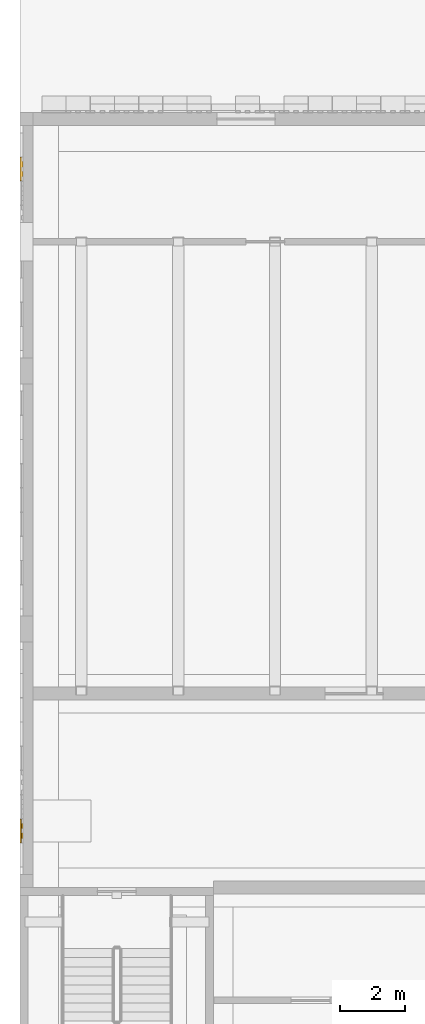
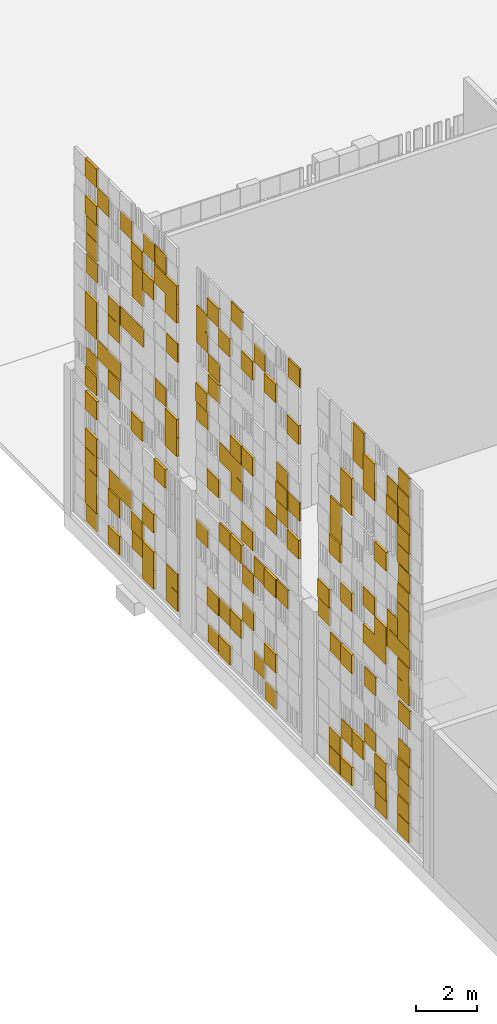
# One storey, part 89 of 125: 1 covering.
"""IFC4 building model written with IfcOpenShell, lengths in metres."""

from ifc_helpers import new_model, si_unit, direction, frame, origin, origin_2d, place, context, subcontext, project, spatial, rectangle, extrude, material, layer, layer_set, type_object, element, save


model = new_model("IFC4")

# Units and contexts
model_context = context("Model", 3, precision=1e-05, world=origin(), true_north=direction((0.0, 1.0)))
body_context = subcontext(model_context, "Body", "Model", "MODEL_VIEW")
ifc_project = project(units=[si_unit("LENGTHUNIT", "METRE"), si_unit("AREAUNIT", "SQUARE_METRE"), si_unit("VOLUMEUNIT", "CUBIC_METRE"), si_unit("PLANEANGLEUNIT", "RADIAN"), si_unit("MASSUNIT", "GRAM", prefix="KILO")], contexts=[model_context])

# Site, building, storey
site_placement = place(None, origin())
site = spatial("IfcSite", under=ifc_project, at=site_placement, CompositionType="ELEMENT")
building_placement = place(site_placement, origin())
building = spatial("IfcBuilding", under=site, at=building_placement, Name="Sun Court Science Centre", CompositionType="ELEMENT")
storey_placement = place(building_placement, origin())
storey = spatial("IfcBuildingStorey", under=building, at=storey_placement, Name="L00", CompositionType="ELEMENT", Elevation=0.0)

# Covering
ifc_material = material(Name="Terracotta shade 1", Category="masonry")
ifc_layer = layer(ifc_material, 0.06005859375)
ifc_layer_set = layer_set([ifc_layer], Name="Terracotta shade 1")
covering_type = type_object("IfcCoveringType", Name="Terracotta pixel panel shade 1", PredefinedType="CLADDING", material=ifc_layer_set)
covering_placement = place(storey_placement, origin())
element("IfcCovering", 1, at=covering_placement, inside=storey, type_object=covering_type, Name="Terracotta pixel cladding shade 1 west party wall L00", PredefinedType="CLADDING", context=body_context, shape_type="SweptSolid", body=[
    extrude(rectangle(XDim=0.739990234375, YDim=0.06005859375, at=origin_2d()), frame((0.070068359375, 51.25, 0.22998046875), z_axis=(0.0, 0.0, 1.0), x_axis=(0.0, 1.0, 0.0)), (0.0, 0.0, 1.0), 0.739990234375),
    extrude(rectangle(XDim=0.739990234375, YDim=0.10009765625, at=origin_2d()), frame((0.050048828125, 53.5, 0.22998046875), z_axis=(0.0, 0.0, 1.0), x_axis=(0.0, 1.0, 0.0)), (0.0, 0.0, 1.0), 0.739990234375),
    extrude(rectangle(XDim=0.739990234375, YDim=0.10009765625, at=origin_2d()), frame((0.050048828125, 54.25, 0.22998046875), z_axis=(0.0, 0.0, 1.0), x_axis=(0.0, 1.0, 0.0)), (0.0, 0.0, 1.0), 0.739990234375),
    extrude(rectangle(XDim=0.739990234375, YDim=0.10009765625, at=origin_2d()), frame((0.050048828125, 49.75, 0.97998046875), z_axis=(0.0, 0.0, 1.0), x_axis=(0.0, 1.0, 0.0)), (0.0, 0.0, 1.0), 0.739990234375),
    extrude(rectangle(XDim=0.739990234375, YDim=0.10009765625, at=origin_2d()), frame((0.050048828125, 51.25, 0.97998046875), z_axis=(0.0, 0.0, 1.0), x_axis=(0.0, 1.0, 0.0)), (0.0, 0.0, 1.0), 0.739990234375),
    extrude(rectangle(XDim=0.739990234375, YDim=0.10009765625, at=origin_2d()), frame((0.050048828125, 54.25, 0.97998046875), z_axis=(0.0, 0.0, 1.0), x_axis=(0.0, 1.0, 0.0)), (0.0, 0.0, 1.0), 0.739990234375),
    extrude(rectangle(XDim=0.739990234375, YDim=0.10009765625, at=origin_2d()), frame((0.050048828125, 51.25, 1.72998046875), z_axis=(0.0, 0.0, 1.0), x_axis=(0.0, 1.0, 0.0)), (0.0, 0.0, 1.0), 0.739990234375),
    extrude(rectangle(XDim=0.739990234375, YDim=0.10009765625, at=origin_2d()), frame((0.050048828125, 52.75, 1.72998046875), z_axis=(0.0, 0.0, 1.0), x_axis=(0.0, 1.0, 0.0)), (0.0, 0.0, 1.0), 0.739990234375),
    extrude(rectangle(XDim=0.739990234375, YDim=0.06005859375, at=origin_2d()), frame((0.070068359375, 53.5, 1.72998046875), z_axis=(0.0, 0.0, 1.0), x_axis=(0.0, 1.0, 0.0)), (0.0, 0.0, 1.0), 0.739990234375),
    extrude(rectangle(XDim=0.739990234375, YDim=0.06005859375, at=origin_2d()), frame((0.070068359375, 52.0, 2.47998046875), z_axis=(0.0, 0.0, 1.0), x_axis=(0.0, 1.0, 0.0)), (0.0, 0.0, 1.0), 0.739990234375),
    extrude(rectangle(XDim=0.739990234375, YDim=0.06005859375, at=origin_2d()), frame((0.070068359375, 49.75, 3.22998046875), z_axis=(0.0, 0.0, 1.0), x_axis=(0.0, 1.0, 0.0)), (0.0, 0.0, 1.0), 0.739990234375),
    extrude(rectangle(XDim=0.739990234375, YDim=0.06005859375, at=origin_2d()), frame((0.070068359375, 52.0, 4.72998046875), z_axis=(0.0, 0.0, 1.0), x_axis=(0.0, 1.0, 0.0)), (0.0, 0.0, 1.0), 0.739990234375),
    extrude(rectangle(XDim=0.739990234375, YDim=0.10009765625, at=origin_2d()), frame((0.050048828125, 53.5, 4.72998046875), z_axis=(0.0, 0.0, 1.0), x_axis=(0.0, 1.0, 0.0)), (0.0, 0.0, 1.0), 0.739990234375),
    extrude(rectangle(XDim=0.739990234375, YDim=0.06005859375, at=origin_2d()), frame((0.070068359375, 54.25, 4.72998046875), z_axis=(0.0, 0.0, 1.0), x_axis=(0.0, 1.0, 0.0)), (0.0, 0.0, 1.0), 0.739990234375),
    extrude(rectangle(XDim=0.739990234375, YDim=0.06005859375, at=origin_2d()), frame((0.070068359375, 55.0, 5.705078125), z_axis=(0.0, 0.0, 1.0), x_axis=(0.0, 1.0, 0.0)), (0.0, 0.0, 1.0), 0.739990234375),
    extrude(rectangle(XDim=0.739990234375, YDim=0.10009765625, at=origin_2d()), frame((0.050048828125, 51.25, 6.455078125), z_axis=(0.0, 0.0, 1.0), x_axis=(0.0, 1.0, 0.0)), (0.0, 0.0, 1.0), 0.739990234375),
    extrude(rectangle(XDim=0.739990234375, YDim=0.10009765625, at=origin_2d()), frame((0.050048828125, 52.0, 6.455078125), z_axis=(0.0, 0.0, 1.0), x_axis=(0.0, 1.0, 0.0)), (0.0, 0.0, 1.0), 0.739990234375),
    extrude(rectangle(XDim=0.739990234375, YDim=0.10009765625, at=origin_2d()), frame((0.050048828125, 55.0, 6.455078125), z_axis=(0.0, 0.0, 1.0), x_axis=(0.0, 1.0, 0.0)), (0.0, 0.0, 1.0), 0.739990234375),
    extrude(rectangle(XDim=0.739990234375, YDim=0.06005859375, at=origin_2d()), frame((0.070068359375, 50.5, 7.205078125), z_axis=(0.0, 0.0, 1.0), x_axis=(0.0, 1.0, 0.0)), (0.0, 0.0, 1.0), 0.739990234375),
    extrude(rectangle(XDim=0.739990234375, YDim=0.10009765625, at=origin_2d()), frame((0.050048828125, 51.25, 7.205078125), z_axis=(0.0, 0.0, 1.0), x_axis=(0.0, 1.0, 0.0)), (0.0, 0.0, 1.0), 0.739990234375),
    extrude(rectangle(XDim=0.739990234375, YDim=0.10009765625, at=origin_2d()), frame((0.050048828125, 53.5, 7.205078125), z_axis=(0.0, 0.0, 1.0), x_axis=(0.0, 1.0, 0.0)), (0.0, 0.0, 1.0), 0.739990234375),
    extrude(rectangle(XDim=0.739990234375, YDim=0.10009765625, at=origin_2d()), frame((0.050048828125, 49.75, 7.955078125), z_axis=(0.0, 0.0, 1.0), x_axis=(0.0, 1.0, 0.0)), (0.0, 0.0, 1.0), 0.739990234375),
    extrude(rectangle(XDim=0.739990234375, YDim=0.06005859375, at=origin_2d()), frame((0.070068359375, 50.5, 7.955078125), z_axis=(0.0, 0.0, 1.0), x_axis=(0.0, 1.0, 0.0)), (0.0, 0.0, 1.0), 0.739990234375),
    extrude(rectangle(XDim=0.739990234375, YDim=0.10009765625, at=origin_2d()), frame((0.050048828125, 52.0, 7.955078125), z_axis=(0.0, 0.0, 1.0), x_axis=(0.0, 1.0, 0.0)), (0.0, 0.0, 1.0), 0.739990234375),
    extrude(rectangle(XDim=0.739990234375, YDim=0.10009765625, at=origin_2d()), frame((0.050048828125, 54.25, 8.705078125), z_axis=(0.0, 0.0, 1.0), x_axis=(0.0, 1.0, 0.0)), (0.0, 0.0, 1.0), 0.739990234375),
    extrude(rectangle(XDim=0.739990234375, YDim=0.10009765625, at=origin_2d()), frame((0.050048828125, 49.75, 9.455078125), z_axis=(0.0, 0.0, 1.0), x_axis=(0.0, 1.0, 0.0)), (0.0, 0.0, 1.0), 0.739990234375),
    extrude(rectangle(XDim=0.739990234375, YDim=0.06005859375, at=origin_2d()), frame((0.070068359375, 54.25, 9.455078125), z_axis=(0.0, 0.0, 1.0), x_axis=(0.0, 1.0, 0.0)), (0.0, 0.0, 1.0), 0.739990234375),
    extrude(rectangle(XDim=0.739990234375, YDim=0.10009765625, at=origin_2d()), frame((0.050048828125, 51.25, 10.205078125), z_axis=(0.0, 0.0, 1.0), x_axis=(0.0, 1.0, 0.0)), (0.0, 0.0, 1.0), 0.739990234375),
    extrude(rectangle(XDim=0.739990234375, YDim=0.06005859375, at=origin_2d()), frame((0.070068359375, 54.25, 10.205078125), z_axis=(0.0, 0.0, 1.0), x_axis=(0.0, 1.0, 0.0)), (0.0, 0.0, 1.0), 0.739990234375),
    extrude(rectangle(XDim=0.739990234375, YDim=0.10009765625, at=origin_2d()), frame((0.050048828125, 53.5, 11.05126953125), z_axis=(0.0, 0.0, 1.0), x_axis=(0.0, 1.0, 0.0)), (0.0, 0.0, 1.0), 0.739990234375),
    extrude(rectangle(XDim=0.739990234375, YDim=0.10009765625, at=origin_2d()), frame((0.050048828125, 53.5, 11.80126953125), z_axis=(0.0, 0.0, 1.0), x_axis=(0.0, 1.0, 0.0)), (0.0, 0.0, 1.0), 0.739990234375),
    extrude(rectangle(XDim=0.739990234375, YDim=0.10009765625, at=origin_2d()), frame((0.050048828125, 50.5, 12.55126953125), z_axis=(0.0, 0.0, 1.0), x_axis=(0.0, 1.0, 0.0)), (0.0, 0.0, 1.0), 0.739990234375),
    extrude(rectangle(XDim=0.739990234375, YDim=0.10009765625, at=origin_2d()), frame((0.050048828125, 52.0, 12.55126953125), z_axis=(0.0, 0.0, 1.0), x_axis=(0.0, 1.0, 0.0)), (0.0, 0.0, 1.0), 0.739990234375),
    extrude(rectangle(XDim=0.739990234375, YDim=0.10009765625, at=origin_2d()), frame((0.050048828125, 49.75, 13.30126953125), z_axis=(0.0, 0.0, 1.0), x_axis=(0.0, 1.0, 0.0)), (0.0, 0.0, 1.0), 0.739990234375),
    extrude(rectangle(XDim=0.739990234375, YDim=0.06005859375, at=origin_2d()), frame((0.070068359375, 50.5, 13.30126953125), z_axis=(0.0, 0.0, 1.0), x_axis=(0.0, 1.0, 0.0)), (0.0, 0.0, 1.0), 0.739990234375),
    extrude(rectangle(XDim=0.739990234375, YDim=0.10009765625, at=origin_2d()), frame((0.050048828125, 52.0, 13.30126953125), z_axis=(0.0, 0.0, 1.0), x_axis=(0.0, 1.0, 0.0)), (0.0, 0.0, 1.0), 0.739990234375),
    extrude(rectangle(XDim=0.739990234375, YDim=0.06005859375, at=origin_2d()), frame((0.070068359375, 52.75, 13.30126953125), z_axis=(0.0, 0.0, 1.0), x_axis=(0.0, 1.0, 0.0)), (0.0, 0.0, 1.0), 0.739990234375),
    extrude(rectangle(XDim=0.739990234375, YDim=0.06005859375, at=origin_2d()), frame((0.070068359375, 52.75, 14.05126953125), z_axis=(0.0, 0.0, 1.0), x_axis=(0.0, 1.0, 0.0)), (0.0, 0.0, 1.0), 0.739990234375),
    extrude(rectangle(XDim=0.739990234375, YDim=0.06005859375, at=origin_2d()), frame((0.070068359375, 58.5, 0.22998046875), z_axis=(0.0, 0.0, 1.0), x_axis=(0.0, 1.0, 0.0)), (0.0, 0.0, 1.0), 0.739990234375),
    extrude(rectangle(XDim=0.739990234375, YDim=0.10009765625, at=origin_2d()), frame((0.050048828125, 61.5, 0.22998046875), z_axis=(0.0, 0.0, 1.0), x_axis=(0.0, 1.0, 0.0)), (0.0, 0.0, 1.0), 0.739990234375),
    extrude(rectangle(XDim=0.739990234375, YDim=0.06005859375, at=origin_2d()), frame((0.070068359375, 62.25, 0.22998046875), z_axis=(0.0, 0.0, 1.0), x_axis=(0.0, 1.0, 0.0)), (0.0, 0.0, 1.0), 0.739990234375),
    extrude(rectangle(XDim=0.739990234375, YDim=0.06005859375, at=origin_2d()), frame((0.070068359375, 59.25, 0.97998046875), z_axis=(0.0, 0.0, 1.0), x_axis=(0.0, 1.0, 0.0)), (0.0, 0.0, 1.0), 0.739990234375),
    extrude(rectangle(XDim=0.739990234375, YDim=0.10009765625, at=origin_2d()), frame((0.050048828125, 58.5, 1.72998046875), z_axis=(0.0, 0.0, 1.0), x_axis=(0.0, 1.0, 0.0)), (0.0, 0.0, 1.0), 0.739990234375),
    extrude(rectangle(XDim=0.739990234375, YDim=0.10009765625, at=origin_2d()), frame((0.050048828125, 60.75, 1.72998046875), z_axis=(0.0, 0.0, 1.0), x_axis=(0.0, 1.0, 0.0)), (0.0, 0.0, 1.0), 0.739990234375),
    extrude(rectangle(XDim=0.739990234375, YDim=0.06005859375, at=origin_2d()), frame((0.070068359375, 61.5, 1.72998046875), z_axis=(0.0, 0.0, 1.0), x_axis=(0.0, 1.0, 0.0)), (0.0, 0.0, 1.0), 0.739990234375),
    extrude(rectangle(XDim=0.739990234375, YDim=0.10009765625, at=origin_2d()), frame((0.050048828125, 62.25, 1.72998046875), z_axis=(0.0, 0.0, 1.0), x_axis=(0.0, 1.0, 0.0)), (0.0, 0.0, 1.0), 0.739990234375),
    extrude(rectangle(XDim=0.739990234375, YDim=0.06005859375, at=origin_2d()), frame((0.070068359375, 60.0, 2.47998046875), z_axis=(0.0, 0.0, 1.0), x_axis=(0.0, 1.0, 0.0)), (0.0, 0.0, 1.0), 0.739990234375),
    extrude(rectangle(XDim=0.739990234375, YDim=0.06005859375, at=origin_2d()), frame((0.070068359375, 60.0, 3.97998046875), z_axis=(0.0, 0.0, 1.0), x_axis=(0.0, 1.0, 0.0)), (0.0, 0.0, 1.0), 0.739990234375),
    extrude(rectangle(XDim=0.739990234375, YDim=0.06005859375, at=origin_2d()), frame((0.070068359375, 63.0, 3.97998046875), z_axis=(0.0, 0.0, 1.0), x_axis=(0.0, 1.0, 0.0)), (0.0, 0.0, 1.0), 0.739990234375),
    extrude(rectangle(XDim=0.739990234375, YDim=0.06005859375, at=origin_2d()), frame((0.070068359375, 57.75, 4.72998046875), z_axis=(0.0, 0.0, 1.0), x_axis=(0.0, 1.0, 0.0)), (0.0, 0.0, 1.0), 0.739990234375),
    extrude(rectangle(XDim=0.739990234375, YDim=0.10009765625, at=origin_2d()), frame((0.050048828125, 58.5, 4.72998046875), z_axis=(0.0, 0.0, 1.0), x_axis=(0.0, 1.0, 0.0)), (0.0, 0.0, 1.0), 0.739990234375),
    extrude(rectangle(XDim=0.739990234375, YDim=0.06005859375, at=origin_2d()), frame((0.070068359375, 59.25, 4.72998046875), z_axis=(0.0, 0.0, 1.0), x_axis=(0.0, 1.0, 0.0)), (0.0, 0.0, 1.0), 0.739990234375),
    extrude(rectangle(XDim=0.739990234375, YDim=0.10009765625, at=origin_2d()), frame((0.050048828125, 60.75, 4.72998046875), z_axis=(0.0, 0.0, 1.0), x_axis=(0.0, 1.0, 0.0)), (0.0, 0.0, 1.0), 0.739990234375),
    extrude(rectangle(XDim=0.739990234375, YDim=0.06005859375, at=origin_2d()), frame((0.070068359375, 61.5, 4.72998046875), z_axis=(0.0, 0.0, 1.0), x_axis=(0.0, 1.0, 0.0)), (0.0, 0.0, 1.0), 0.739990234375),
    extrude(rectangle(XDim=0.739990234375, YDim=0.10009765625, at=origin_2d()), frame((0.050048828125, 60.0, 5.705078125), z_axis=(0.0, 0.0, 1.0), x_axis=(0.0, 1.0, 0.0)), (0.0, 0.0, 1.0), 0.739990234375),
    extrude(rectangle(XDim=0.739990234375, YDim=0.10009765625, at=origin_2d()), frame((0.050048828125, 62.25, 6.455078125), z_axis=(0.0, 0.0, 1.0), x_axis=(0.0, 1.0, 0.0)), (0.0, 0.0, 1.0), 0.739990234375),
    extrude(rectangle(XDim=0.739990234375, YDim=0.10009765625, at=origin_2d()), frame((0.050048828125, 57.0, 7.205078125), z_axis=(0.0, 0.0, 1.0), x_axis=(0.0, 1.0, 0.0)), (0.0, 0.0, 1.0), 0.739990234375),
    extrude(rectangle(XDim=0.739990234375, YDim=0.06005859375, at=origin_2d()), frame((0.070068359375, 58.5, 7.205078125), z_axis=(0.0, 0.0, 1.0), x_axis=(0.0, 1.0, 0.0)), (0.0, 0.0, 1.0), 0.739990234375),
    extrude(rectangle(XDim=0.739990234375, YDim=0.06005859375, at=origin_2d()), frame((0.070068359375, 60.75, 7.205078125), z_axis=(0.0, 0.0, 1.0), x_axis=(0.0, 1.0, 0.0)), (0.0, 0.0, 1.0), 0.739990234375),
    extrude(rectangle(XDim=0.739990234375, YDim=0.06005859375, at=origin_2d()), frame((0.070068359375, 57.75, 7.955078125), z_axis=(0.0, 0.0, 1.0), x_axis=(0.0, 1.0, 0.0)), (0.0, 0.0, 1.0), 0.739990234375),
    extrude(rectangle(XDim=0.739990234375, YDim=0.06005859375, at=origin_2d()), frame((0.070068359375, 60.75, 7.955078125), z_axis=(0.0, 0.0, 1.0), x_axis=(0.0, 1.0, 0.0)), (0.0, 0.0, 1.0), 0.739990234375),
    extrude(rectangle(XDim=0.739990234375, YDim=0.06005859375, at=origin_2d()), frame((0.070068359375, 61.5, 7.955078125), z_axis=(0.0, 0.0, 1.0), x_axis=(0.0, 1.0, 0.0)), (0.0, 0.0, 1.0), 0.739990234375),
    extrude(rectangle(XDim=0.739990234375, YDim=0.06005859375, at=origin_2d()), frame((0.070068359375, 57.0, 8.705078125), z_axis=(0.0, 0.0, 1.0), x_axis=(0.0, 1.0, 0.0)), (0.0, 0.0, 1.0), 0.739990234375),
    extrude(rectangle(XDim=0.739990234375, YDim=0.10009765625, at=origin_2d()), frame((0.050048828125, 57.75, 8.705078125), z_axis=(0.0, 0.0, 1.0), x_axis=(0.0, 1.0, 0.0)), (0.0, 0.0, 1.0), 0.739990234375),
    extrude(rectangle(XDim=0.739990234375, YDim=0.10009765625, at=origin_2d()), frame((0.050048828125, 60.0, 8.705078125), z_axis=(0.0, 0.0, 1.0), x_axis=(0.0, 1.0, 0.0)), (0.0, 0.0, 1.0), 0.739990234375),
    extrude(rectangle(XDim=0.739990234375, YDim=0.10009765625, at=origin_2d()), frame((0.050048828125, 60.75, 8.705078125), z_axis=(0.0, 0.0, 1.0), x_axis=(0.0, 1.0, 0.0)), (0.0, 0.0, 1.0), 0.739990234375),
    extrude(rectangle(XDim=0.739990234375, YDim=0.06005859375, at=origin_2d()), frame((0.070068359375, 63.0, 8.705078125), z_axis=(0.0, 0.0, 1.0), x_axis=(0.0, 1.0, 0.0)), (0.0, 0.0, 1.0), 0.739990234375),
    extrude(rectangle(XDim=0.739990234375, YDim=0.06005859375, at=origin_2d()), frame((0.070068359375, 57.75, 9.455078125), z_axis=(0.0, 0.0, 1.0), x_axis=(0.0, 1.0, 0.0)), (0.0, 0.0, 1.0), 0.739990234375),
    extrude(rectangle(XDim=0.739990234375, YDim=0.10009765625, at=origin_2d()), frame((0.050048828125, 63.0, 9.455078125), z_axis=(0.0, 0.0, 1.0), x_axis=(0.0, 1.0, 0.0)), (0.0, 0.0, 1.0), 0.739990234375),
    extrude(rectangle(XDim=0.739990234375, YDim=0.06005859375, at=origin_2d()), frame((0.070068359375, 62.25, 10.205078125), z_axis=(0.0, 0.0, 1.0), x_axis=(0.0, 1.0, 0.0)), (0.0, 0.0, 1.0), 0.739990234375),
    extrude(rectangle(XDim=0.739990234375, YDim=0.06005859375, at=origin_2d()), frame((0.070068359375, 62.25, 11.05126953125), z_axis=(0.0, 0.0, 1.0), x_axis=(0.0, 1.0, 0.0)), (0.0, 0.0, 1.0), 0.739990234375),
    extrude(rectangle(XDim=0.739990234375, YDim=0.10009765625, at=origin_2d()), frame((0.050048828125, 57.0, 11.80126953125), z_axis=(0.0, 0.0, 1.0), x_axis=(0.0, 1.0, 0.0)), (0.0, 0.0, 1.0), 0.739990234375),
    extrude(rectangle(XDim=0.739990234375, YDim=0.06005859375, at=origin_2d()), frame((0.070068359375, 63.0, 11.80126953125), z_axis=(0.0, 0.0, 1.0), x_axis=(0.0, 1.0, 0.0)), (0.0, 0.0, 1.0), 0.739990234375),
    extrude(rectangle(XDim=0.739990234375, YDim=0.10009765625, at=origin_2d()), frame((0.050048828125, 58.5, 12.55126953125), z_axis=(0.0, 0.0, 1.0), x_axis=(0.0, 1.0, 0.0)), (0.0, 0.0, 1.0), 0.739990234375),
    extrude(rectangle(XDim=0.739990234375, YDim=0.10009765625, at=origin_2d()), frame((0.050048828125, 60.0, 12.55126953125), z_axis=(0.0, 0.0, 1.0), x_axis=(0.0, 1.0, 0.0)), (0.0, 0.0, 1.0), 0.739990234375),
    extrude(rectangle(XDim=0.739990234375, YDim=0.10009765625, at=origin_2d()), frame((0.050048828125, 61.5, 12.55126953125), z_axis=(0.0, 0.0, 1.0), x_axis=(0.0, 1.0, 0.0)), (0.0, 0.0, 1.0), 0.739990234375),
    extrude(rectangle(XDim=0.739990234375, YDim=0.06005859375, at=origin_2d()), frame((0.070068359375, 63.0, 12.55126953125), z_axis=(0.0, 0.0, 1.0), x_axis=(0.0, 1.0, 0.0)), (0.0, 0.0, 1.0), 0.739990234375),
    extrude(rectangle(XDim=0.739990234375, YDim=0.06005859375, at=origin_2d()), frame((0.070068359375, 59.25, 13.30126953125), z_axis=(0.0, 0.0, 1.0), x_axis=(0.0, 1.0, 0.0)), (0.0, 0.0, 1.0), 0.739990234375),
    extrude(rectangle(XDim=0.739990234375, YDim=0.10009765625, at=origin_2d()), frame((0.050048828125, 62.25, 13.30126953125), z_axis=(0.0, 0.0, 1.0), x_axis=(0.0, 1.0, 0.0)), (0.0, 0.0, 1.0), 0.739990234375),
    extrude(rectangle(XDim=0.739990234375, YDim=0.06005859375, at=origin_2d()), frame((0.070068359375, 57.0, 14.05126953125), z_axis=(0.0, 0.0, 1.0), x_axis=(0.0, 1.0, 0.0)), (0.0, 0.0, 1.0), 0.739990234375),
    extrude(rectangle(XDim=0.739990234375, YDim=0.06005859375, at=origin_2d()), frame((0.070068359375, 60.75, 14.05126953125), z_axis=(0.0, 0.0, 1.0), x_axis=(0.0, 1.0, 0.0)), (0.0, 0.0, 1.0), 0.739990234375),
    extrude(rectangle(XDim=0.739990234375, YDim=0.06005859375, at=origin_2d()), frame((0.070068359375, 65.0, 0.22998046875), z_axis=(0.0, 0.0, 1.0), x_axis=(0.0, 1.0, 0.0)), (0.0, 0.0, 1.0), 0.739990234375),
    extrude(rectangle(XDim=0.739990234375, YDim=0.10009765625, at=origin_2d()), frame((0.050048828125, 66.5, 0.22998046875), z_axis=(0.0, 0.0, 1.0), x_axis=(0.0, 1.0, 0.0)), (0.0, 0.0, 1.0), 0.739990234375),
    extrude(rectangle(XDim=0.739990234375, YDim=0.10009765625, at=origin_2d()), frame((0.050048828125, 68.75, 0.22998046875), z_axis=(0.0, 0.0, 1.0), x_axis=(0.0, 1.0, 0.0)), (0.0, 0.0, 1.0), 0.739990234375),
    extrude(rectangle(XDim=0.739990234375, YDim=0.06005859375, at=origin_2d()), frame((0.070068359375, 65.0, 0.97998046875), z_axis=(0.0, 0.0, 1.0), x_axis=(0.0, 1.0, 0.0)), (0.0, 0.0, 1.0), 0.739990234375),
    extrude(rectangle(XDim=0.739990234375, YDim=0.10009765625, at=origin_2d()), frame((0.050048828125, 66.5, 0.97998046875), z_axis=(0.0, 0.0, 1.0), x_axis=(0.0, 1.0, 0.0)), (0.0, 0.0, 1.0), 0.739990234375),
    extrude(rectangle(XDim=0.739990234375, YDim=0.06005859375, at=origin_2d()), frame((0.070068359375, 67.25, 0.97998046875), z_axis=(0.0, 0.0, 1.0), x_axis=(0.0, 1.0, 0.0)), (0.0, 0.0, 1.0), 0.739990234375),
    extrude(rectangle(XDim=0.739990234375, YDim=0.10009765625, at=origin_2d()), frame((0.050048828125, 70.25, 0.97998046875), z_axis=(0.0, 0.0, 1.0), x_axis=(0.0, 1.0, 0.0)), (0.0, 0.0, 1.0), 0.739990234375),
    extrude(rectangle(XDim=0.739990234375, YDim=0.10009765625, at=origin_2d()), frame((0.050048828125, 67.25, 1.72998046875), z_axis=(0.0, 0.0, 1.0), x_axis=(0.0, 1.0, 0.0)), (0.0, 0.0, 1.0), 0.739990234375),
    extrude(rectangle(XDim=0.739990234375, YDim=0.10009765625, at=origin_2d()), frame((0.050048828125, 68.75, 1.72998046875), z_axis=(0.0, 0.0, 1.0), x_axis=(0.0, 1.0, 0.0)), (0.0, 0.0, 1.0), 0.739990234375),
    extrude(rectangle(XDim=0.739990234375, YDim=0.10009765625, at=origin_2d()), frame((0.050048828125, 70.25, 1.72998046875), z_axis=(0.0, 0.0, 1.0), x_axis=(0.0, 1.0, 0.0)), (0.0, 0.0, 1.0), 0.739990234375),
    extrude(rectangle(XDim=0.739990234375, YDim=0.10009765625, at=origin_2d()), frame((0.050048828125, 66.5, 2.47998046875), z_axis=(0.0, 0.0, 1.0), x_axis=(0.0, 1.0, 0.0)), (0.0, 0.0, 1.0), 0.739990234375),
    extrude(rectangle(XDim=0.739990234375, YDim=0.06005859375, at=origin_2d()), frame((0.070068359375, 68.0, 2.47998046875), z_axis=(0.0, 0.0, 1.0), x_axis=(0.0, 1.0, 0.0)), (0.0, 0.0, 1.0), 0.739990234375),
    extrude(rectangle(XDim=0.739990234375, YDim=0.06005859375, at=origin_2d()), frame((0.070068359375, 68.75, 2.47998046875), z_axis=(0.0, 0.0, 1.0), x_axis=(0.0, 1.0, 0.0)), (0.0, 0.0, 1.0), 0.739990234375),
    extrude(rectangle(XDim=0.739990234375, YDim=0.10009765625, at=origin_2d()), frame((0.050048828125, 70.25, 2.47998046875), z_axis=(0.0, 0.0, 1.0), x_axis=(0.0, 1.0, 0.0)), (0.0, 0.0, 1.0), 0.739990234375),
    extrude(rectangle(XDim=0.739990234375, YDim=0.10009765625, at=origin_2d()), frame((0.050048828125, 65.75, 4.72998046875), z_axis=(0.0, 0.0, 1.0), x_axis=(0.0, 1.0, 0.0)), (0.0, 0.0, 1.0), 0.739990234375),
    extrude(rectangle(XDim=0.739990234375, YDim=0.10009765625, at=origin_2d()), frame((0.050048828125, 67.25, 5.705078125), z_axis=(0.0, 0.0, 1.0), x_axis=(0.0, 1.0, 0.0)), (0.0, 0.0, 1.0), 0.739990234375),
    extrude(rectangle(XDim=0.739990234375, YDim=0.10009765625, at=origin_2d()), frame((0.050048828125, 65.0, 6.455078125), z_axis=(0.0, 0.0, 1.0), x_axis=(0.0, 1.0, 0.0)), (0.0, 0.0, 1.0), 0.739990234375),
    extrude(rectangle(XDim=0.739990234375, YDim=0.10009765625, at=origin_2d()), frame((0.050048828125, 68.75, 6.455078125), z_axis=(0.0, 0.0, 1.0), x_axis=(0.0, 1.0, 0.0)), (0.0, 0.0, 1.0), 0.739990234375),
    extrude(rectangle(XDim=0.739990234375, YDim=0.06005859375, at=origin_2d()), frame((0.070068359375, 70.25, 6.455078125), z_axis=(0.0, 0.0, 1.0), x_axis=(0.0, 1.0, 0.0)), (0.0, 0.0, 1.0), 0.739990234375),
    extrude(rectangle(XDim=0.739990234375, YDim=0.10009765625, at=origin_2d()), frame((0.050048828125, 65.0, 7.205078125), z_axis=(0.0, 0.0, 1.0), x_axis=(0.0, 1.0, 0.0)), (0.0, 0.0, 1.0), 0.739990234375),
    extrude(rectangle(XDim=0.739990234375, YDim=0.06005859375, at=origin_2d()), frame((0.070068359375, 68.75, 7.205078125), z_axis=(0.0, 0.0, 1.0), x_axis=(0.0, 1.0, 0.0)), (0.0, 0.0, 1.0), 0.739990234375),
    extrude(rectangle(XDim=0.739990234375, YDim=0.06005859375, at=origin_2d()), frame((0.070068359375, 69.5, 7.205078125), z_axis=(0.0, 0.0, 1.0), x_axis=(0.0, 1.0, 0.0)), (0.0, 0.0, 1.0), 0.739990234375),
    extrude(rectangle(XDim=0.739990234375, YDim=0.06005859375, at=origin_2d()), frame((0.070068359375, 65.75, 7.955078125), z_axis=(0.0, 0.0, 1.0), x_axis=(0.0, 1.0, 0.0)), (0.0, 0.0, 1.0), 0.739990234375),
    extrude(rectangle(XDim=0.739990234375, YDim=0.10009765625, at=origin_2d()), frame((0.050048828125, 68.75, 8.705078125), z_axis=(0.0, 0.0, 1.0), x_axis=(0.0, 1.0, 0.0)), (0.0, 0.0, 1.0), 0.739990234375),
    extrude(rectangle(XDim=0.739990234375, YDim=0.06005859375, at=origin_2d()), frame((0.070068359375, 67.25, 9.455078125), z_axis=(0.0, 0.0, 1.0), x_axis=(0.0, 1.0, 0.0)), (0.0, 0.0, 1.0), 0.739990234375),
    extrude(rectangle(XDim=0.739990234375, YDim=0.06005859375, at=origin_2d()), frame((0.070068359375, 68.0, 9.455078125), z_axis=(0.0, 0.0, 1.0), x_axis=(0.0, 1.0, 0.0)), (0.0, 0.0, 1.0), 0.739990234375),
    extrude(rectangle(XDim=0.739990234375, YDim=0.10009765625, at=origin_2d()), frame((0.050048828125, 68.75, 9.455078125), z_axis=(0.0, 0.0, 1.0), x_axis=(0.0, 1.0, 0.0)), (0.0, 0.0, 1.0), 0.739990234375),
    extrude(rectangle(XDim=0.739990234375, YDim=0.06005859375, at=origin_2d()), frame((0.070068359375, 65.0, 10.205078125), z_axis=(0.0, 0.0, 1.0), x_axis=(0.0, 1.0, 0.0)), (0.0, 0.0, 1.0), 0.739990234375),
    extrude(rectangle(XDim=0.739990234375, YDim=0.06005859375, at=origin_2d()), frame((0.070068359375, 67.25, 11.05126953125), z_axis=(0.0, 0.0, 1.0), x_axis=(0.0, 1.0, 0.0)), (0.0, 0.0, 1.0), 0.739990234375),
    extrude(rectangle(XDim=0.739990234375, YDim=0.10009765625, at=origin_2d()), frame((0.050048828125, 65.0, 11.80126953125), z_axis=(0.0, 0.0, 1.0), x_axis=(0.0, 1.0, 0.0)), (0.0, 0.0, 1.0), 0.739990234375),
    extrude(rectangle(XDim=0.739990234375, YDim=0.10009765625, at=origin_2d()), frame((0.050048828125, 66.5, 11.80126953125), z_axis=(0.0, 0.0, 1.0), x_axis=(0.0, 1.0, 0.0)), (0.0, 0.0, 1.0), 0.739990234375),
    extrude(rectangle(XDim=0.739990234375, YDim=0.06005859375, at=origin_2d()), frame((0.070068359375, 67.25, 11.80126953125), z_axis=(0.0, 0.0, 1.0), x_axis=(0.0, 1.0, 0.0)), (0.0, 0.0, 1.0), 0.739990234375),
    extrude(rectangle(XDim=0.739990234375, YDim=0.10009765625, at=origin_2d()), frame((0.050048828125, 65.0, 12.55126953125), z_axis=(0.0, 0.0, 1.0), x_axis=(0.0, 1.0, 0.0)), (0.0, 0.0, 1.0), 0.739990234375),
    extrude(rectangle(XDim=0.739990234375, YDim=0.10009765625, at=origin_2d()), frame((0.050048828125, 65.75, 12.55126953125), z_axis=(0.0, 0.0, 1.0), x_axis=(0.0, 1.0, 0.0)), (0.0, 0.0, 1.0), 0.739990234375),
    extrude(rectangle(XDim=0.739990234375, YDim=0.10009765625, at=origin_2d()), frame((0.050048828125, 67.25, 12.55126953125), z_axis=(0.0, 0.0, 1.0), x_axis=(0.0, 1.0, 0.0)), (0.0, 0.0, 1.0), 0.739990234375),
    extrude(rectangle(XDim=0.739990234375, YDim=0.06005859375, at=origin_2d()), frame((0.070068359375, 65.75, 13.30126953125), z_axis=(0.0, 0.0, 1.0), x_axis=(0.0, 1.0, 0.0)), (0.0, 0.0, 1.0), 0.739990234375),
    extrude(rectangle(XDim=0.739990234375, YDim=0.06005859375, at=origin_2d()), frame((0.070068359375, 66.5, 13.30126953125), z_axis=(0.0, 0.0, 1.0), x_axis=(0.0, 1.0, 0.0)), (0.0, 0.0, 1.0), 0.739990234375),
    extrude(rectangle(XDim=0.739990234375, YDim=0.06005859375, at=origin_2d()), frame((0.070068359375, 68.0, 13.30126953125), z_axis=(0.0, 0.0, 1.0), x_axis=(0.0, 1.0, 0.0)), (0.0, 0.0, 1.0), 0.739990234375),
    extrude(rectangle(XDim=0.739990234375, YDim=0.06005859375, at=origin_2d()), frame((0.070068359375, 69.5, 13.30126953125), z_axis=(0.0, 0.0, 1.0), x_axis=(0.0, 1.0, 0.0)), (0.0, 0.0, 1.0), 0.739990234375),
    extrude(rectangle(XDim=0.739990234375, YDim=0.10009765625, at=origin_2d()), frame((0.050048828125, 49.75, 0.22998046875), z_axis=(0.0, 0.0, 1.0), x_axis=(0.0, 1.0, 0.0)), (0.0, 0.0, 1.0), 0.739990234375),
    extrude(rectangle(XDim=0.739990234375, YDim=0.06005859375, at=origin_2d()), frame((0.070068359375, 49.75, 1.72998046875), z_axis=(0.0, 0.0, 1.0), x_axis=(0.0, 1.0, 0.0)), (0.0, 0.0, 1.0), 0.739990234375),
    extrude(rectangle(XDim=0.739990234375, YDim=0.10009765625, at=origin_2d()), frame((0.050048828125, 49.75, 5.705078125), z_axis=(0.0, 0.0, 1.0), x_axis=(0.0, 1.0, 0.0)), (0.0, 0.0, 1.0), 0.739990234375),
    extrude(rectangle(XDim=0.739990234375, YDim=0.06005859375, at=origin_2d()), frame((0.070068359375, 49.75, 7.205078125), z_axis=(0.0, 0.0, 1.0), x_axis=(0.0, 1.0, 0.0)), (0.0, 0.0, 1.0), 0.739990234375),
    extrude(rectangle(XDim=0.739990234375, YDim=0.10009765625, at=origin_2d()), frame((0.050048828125, 49.75, 8.705078125), z_axis=(0.0, 0.0, 1.0), x_axis=(0.0, 1.0, 0.0)), (0.0, 0.0, 1.0), 0.739990234375),
    extrude(rectangle(XDim=0.739990234375, YDim=0.06005859375, at=origin_2d()), frame((0.070068359375, 49.75, 10.205078125), z_axis=(0.0, 0.0, 1.0), x_axis=(0.0, 1.0, 0.0)), (0.0, 0.0, 1.0), 0.739990234375),
    extrude(rectangle(XDim=0.739990234375, YDim=0.06005859375, at=origin_2d()), frame((0.070068359375, 70.25, 0.22998046875), z_axis=(0.0, 0.0, 1.0), x_axis=(0.0, 1.0, 0.0)), (0.0, 0.0, 1.0), 0.739990234375),
    extrude(rectangle(XDim=0.739990234375, YDim=0.10009765625, at=origin_2d()), frame((0.050048828125, 70.25, 4.72998046875), z_axis=(0.0, 0.0, 1.0), x_axis=(0.0, 1.0, 0.0)), (0.0, 0.0, 1.0), 0.739990234375),
    extrude(rectangle(XDim=0.739990234375, YDim=0.10009765625, at=origin_2d()), frame((0.050048828125, 70.25, 7.955078125), z_axis=(0.0, 0.0, 1.0), x_axis=(0.0, 1.0, 0.0)), (0.0, 0.0, 1.0), 0.739990234375),
    extrude(rectangle(XDim=0.739990234375, YDim=0.10009765625, at=origin_2d()), frame((0.050048828125, 49.75, 6.455078125), z_axis=(0.0, 0.0, 1.0), x_axis=(0.0, 1.0, 0.0)), (0.0, 0.0, 1.0), 0.739990234375),
    extrude(rectangle(XDim=0.739990234375, YDim=0.10009765625, at=origin_2d()), frame((0.050048828125, 49.75, 11.05126953125), z_axis=(0.0, 0.0, 1.0), x_axis=(0.0, 1.0, 0.0)), (0.0, 0.0, 1.0), 0.739990234375),
    extrude(rectangle(XDim=0.739990234375, YDim=0.10009765625, at=origin_2d()), frame((0.050048828125, 49.75, 11.80126953125), z_axis=(0.0, 0.0, 1.0), x_axis=(0.0, 1.0, 0.0)), (0.0, 0.0, 1.0), 0.739990234375),
    extrude(rectangle(XDim=0.739990234375, YDim=0.06005859375, at=origin_2d()), frame((0.070068359375, 70.25, 10.205078125), z_axis=(0.0, 0.0, 1.0), x_axis=(0.0, 1.0, 0.0)), (0.0, 0.0, 1.0), 0.739990234375),
    extrude(rectangle(XDim=0.739990234375, YDim=0.10009765625, at=origin_2d()), frame((0.050048828125, 70.25, 12.55126953125), z_axis=(0.0, 0.0, 1.0), x_axis=(0.0, 1.0, 0.0)), (0.0, 0.0, 1.0), 0.739990234375),
    extrude(rectangle(XDim=0.739990234375, YDim=0.10009765625, at=origin_2d()), frame((0.050048828125, 49.75, 2.47998046875), z_axis=(0.0, 0.0, 1.0), x_axis=(0.0, 1.0, 0.0)), (0.0, 0.0, 1.0), 0.739990234375),
    extrude(rectangle(XDim=0.739990234375, YDim=0.06005859375, at=origin_2d()), frame((0.070068359375, 49.75, 14.05126953125), z_axis=(0.0, 0.0, 1.0), x_axis=(0.0, 1.0, 0.0)), (0.0, 0.0, 1.0), 0.739990234375),
    extrude(rectangle(XDim=0.739990234375, YDim=0.10009765625, at=origin_2d()), frame((0.050048828125, 70.25, 3.22998046875), z_axis=(0.0, 0.0, 1.0), x_axis=(0.0, 1.0, 0.0)), (0.0, 0.0, 1.0), 0.739990234375),
    extrude(rectangle(XDim=0.739990234375, YDim=0.10009765625, at=origin_2d()), frame((0.050048828125, 70.25, 5.705078125), z_axis=(0.0, 0.0, 1.0), x_axis=(0.0, 1.0, 0.0)), (0.0, 0.0, 1.0), 0.739990234375),
    extrude(rectangle(XDim=0.739990234375, YDim=0.06005859375, at=origin_2d()), frame((0.070068359375, 70.25, 11.05126953125), z_axis=(0.0, 0.0, 1.0), x_axis=(0.0, 1.0, 0.0)), (0.0, 0.0, 1.0), 0.739990234375),
    extrude(rectangle(XDim=0.739990234375, YDim=0.06005859375, at=origin_2d()), frame((0.070068359375, 70.25, 11.80126953125), z_axis=(0.0, 0.0, 1.0), x_axis=(0.0, 1.0, 0.0)), (0.0, 0.0, 1.0), 0.739990234375),
    extrude(rectangle(XDim=0.739990234375, YDim=0.06005859375, at=origin_2d()), frame((0.070068359375, 49.75, 4.72998046875), z_axis=(0.0, 0.0, 1.0), x_axis=(0.0, 1.0, 0.0)), (0.0, 0.0, 1.0), 0.739990234375),
    extrude(rectangle(XDim=0.739990234375, YDim=0.06005859375, at=origin_2d()), frame((0.070068359375, 49.75, 12.55126953125), z_axis=(0.0, 0.0, 1.0), x_axis=(0.0, 1.0, 0.0)), (0.0, 0.0, 1.0), 0.739990234375),
    extrude(rectangle(XDim=0.739990234375, YDim=0.10009765625, at=origin_2d()), frame((0.050048828125, 70.25, 8.705078125), z_axis=(0.0, 0.0, 1.0), x_axis=(0.0, 1.0, 0.0)), (0.0, 0.0, 1.0), 0.739990234375),
    extrude(rectangle(XDim=0.739990234375, YDim=0.10009765625, at=origin_2d()), frame((0.050048828125, 70.25, 14.05126953125), z_axis=(0.0, 0.0, 1.0), x_axis=(0.0, 1.0, 0.0)), (0.0, 0.0, 1.0), 0.739990234375),
])

save(model, "model.ifc")
